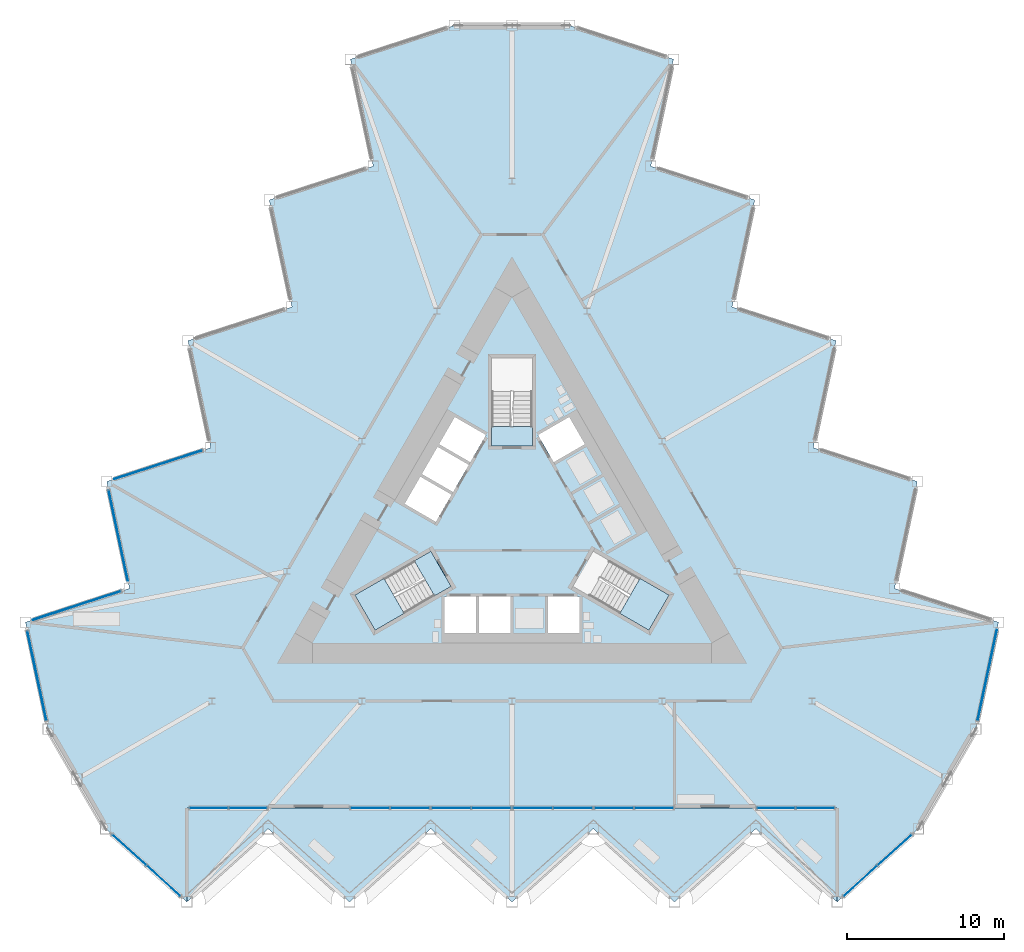
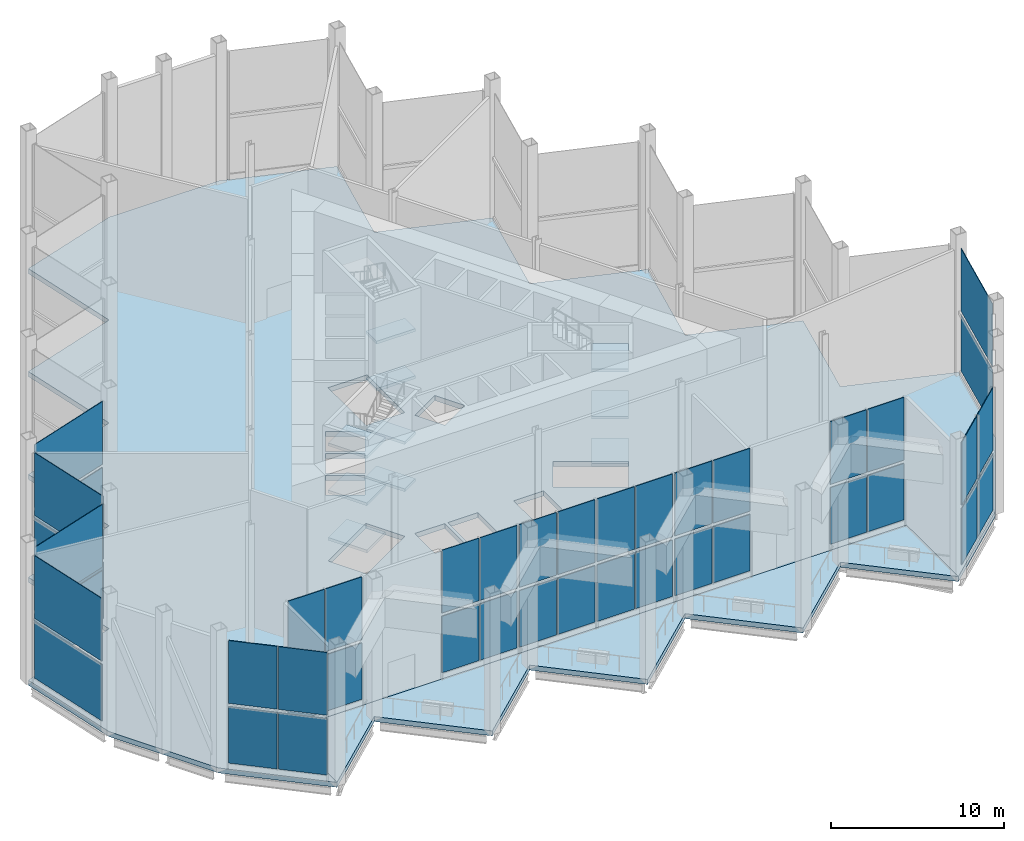
# One storey, part 7 of 17: 42 plates, 12 slabs, 13 elements without a shape of their own.
"""IFC4 building model written with IfcOpenShell, lengths in metres."""

from ifc_helpers import new_model, si_unit, direction, frame, origin, origin_2d, place, context, subcontext, project, spatial, polyline, rectangle, outline, extrude, material, layer, layer_set, type_object, element, aggregate, save


model = new_model("IFC4")

# Units and contexts
model_context = context("Model", 3, precision=1e-05, world=origin(), true_north=direction((0.0, 1.0)))
body_context = subcontext(model_context, "Body", "Model", "MODEL_VIEW")
ifc_project = project(units=[si_unit("LENGTHUNIT", "METRE"), si_unit("AREAUNIT", "SQUARE_METRE"), si_unit("VOLUMEUNIT", "CUBIC_METRE"), si_unit("PLANEANGLEUNIT", "RADIAN"), si_unit("MASSUNIT", "GRAM", prefix="KILO")], contexts=[model_context])

# Site, building, storey
site_placement = place(None, origin())
site = spatial("IfcSite", under=ifc_project, at=site_placement, CompositionType="ELEMENT")
building_placement = place(site_placement, origin())
building = spatial("IfcBuilding", under=site, at=building_placement, Name="Cormorant Prow Tower", CompositionType="ELEMENT")
storey_placement = place(building_placement, frame((0.0, 0.0, 277.800048828125)))
storey = spatial("IfcBuildingStorey", under=building, at=storey_placement, Name="L63", CompositionType="ELEMENT", Elevation=277.800048828125)

# Slab
ifc_material_1 = material(Name="Concrete C40/50", Category="concrete")
ifc_layer_1 = layer(ifc_material_1, 0.35009765625)
ifc_layer_set_1 = layer_set([ifc_layer_1], Name="Concrete C40/50")
slab_type_1 = type_object("IfcSlabType", Name="Post-tensioned flat slab 350", PredefinedType="FLOOR", material=ifc_layer_set_1)
slab_1_placement = place(storey_placement, frame((0.0, 0.0, -0.35009765625)))
element("IfcSlab", 1, at=slab_1_placement, inside=storey, type_object=slab_type_1, Name="Floor slab L63", PredefinedType="FLOOR", context=body_context, shape_type="SweptSolid", body=[
    extrude(outline(polyline([(-8.858642578125, 23.087158203125), (-15.49853515625, 20.9296875), (-14.046875, 14.100830078125), (-20.686767578125, 11.943359375), (-19.235107421875, 5.114501953125), (-25.875, 2.957275390625), (-24.42333984375, -3.871826171875), (-31.063232421875, -6.029052734375), (-29.611572265625, -12.858154296875), (-27.7763671875, -16.03662109375), (-25.941162109375, -19.21533203125), (-20.7529296875, -23.886962890625), (-20.7529296875, -17.886962890625), (20.7529296875, -17.886962890625), (20.7529296875, -23.886962890625), (25.941162109375, -19.21533203125), (27.7763671875, -16.03662109375), (29.611572265625, -12.858154296875), (31.063232421875, -6.029052734375), (24.42333984375, -3.871826171875), (25.875, 2.957275390625), (19.235107421875, 5.114501953125), (20.686767578125, 11.943359375), (14.046875, 14.100830078125), (15.49853515625, 20.9296875), (8.858642578125, 23.087158203125), (10.310302734375, 29.916015625), (3.67041015625, 32.073486328125), (0.0, 32.073486328125), (-3.67041015625, 32.073486328125), (-10.310302734375, 29.916015625), (-8.858642578125, 23.087158203125)]), holes=[polyline([(-4.300048828125, -4.39990234375), (-2.300048828125, -4.39990234375), (-2.300048828125, -6.699951171875), (-4.300048828125, -6.699951171875), (-4.300048828125, -4.39990234375)]), polyline([(-0.10009765625, -4.39990234375), (-0.10009765625, -6.699951171875), (-2.10009765625, -6.699951171875), (-2.10009765625, -4.39990234375), (-0.10009765625, -4.39990234375)]), polyline([(4.300048828125, -6.699951171875), (2.300048828125, -6.699951171875), (2.300048828125, -4.39990234375), (4.300048828125, -4.39990234375), (4.300048828125, -6.699951171875)]), polyline([(4.65234375, 5.341796875), (2.660400390625, 4.19189453125), (1.660400390625, 5.923828125), (3.65234375, 7.073974609375), (4.65234375, 5.341796875)]), polyline([(-1.660400390625, 5.923828125), (-2.660400390625, 4.19189453125), (-4.65234375, 5.341796875), (-3.65234375, 7.073974609375), (-1.660400390625, 5.923828125)]), polyline([(-3.760498046875, 2.28662109375), (-5.75244140625, 3.4365234375), (-4.75244140625, 5.168701171875), (-2.760498046875, 4.018798828125), (-3.760498046875, 2.28662109375)]), polyline([(-6.852294921875, 1.53125), (-5.852294921875, 3.263427734375), (-3.860595703125, 2.11328125), (-4.860595703125, 0.38134765625), (-6.852294921875, 1.53125)]), polyline([(-4.947509765625, -4.3505859375), (-8.738037109375, -6.5390625), (-10.031982421875, -4.2978515625), (-6.241455078125, -2.109375), (-4.947509765625, -4.3505859375)]), polyline([(10.031982421875, -4.2978515625), (8.738037109375, -6.5390625), (4.947509765625, -4.3505859375), (6.241455078125, -2.109375), (10.031982421875, -4.2978515625)]), polyline([(1.2939453125, 10.8369140625), (1.2939453125, 6.459716796875), (-1.2939453125, 6.459716796875), (-1.2939453125, 10.8369140625), (1.2939453125, 10.8369140625)])]), origin(), (0.0, 0.0, 1.0), 0.35009765625),
])

# Curtain wall, plates
ifc_material_2 = material(Name="Aluminium 6063-T6", Category="aluminium")
ifc_layer_2 = layer(ifc_material_2, 0.300048828125)
ifc_layer_set_2 = layer_set([ifc_layer_2], Name="Aluminium 6063-T6")
curtain_wall_type = type_object("IfcCurtainWallType", Name="Sky lobby unitised curtain wall 300", PredefinedType="NOTDEFINED", material=ifc_layer_set_2)
curtain_wall_1_placement = place(storey_placement, origin())
curtain_wall_1 = element("IfcCurtainWall", 2, at=curtain_wall_1_placement, inside=storey, type_object=curtain_wall_type, Name="Sky lobby curtain wall S00", PredefinedType="NOTDEFINED")
ifc_material_3 = material(Name="Clear glass", Category="glass")
ifc_layer_3 = layer(ifc_material_3, 0.0439453125)
ifc_layer_set_3 = layer_set([ifc_layer_3], Name="Clear glass")
plate_type = type_object("IfcPlateType", Name="Sky lobby glass panel 44", PredefinedType="CURTAIN_PANEL", material=ifc_layer_set_3)
plate_1_placement = place(storey_placement, frame((-24.443115234375, -20.564208984375, 0.449951171875), z_axis=(0.0, 0.0, 1.0), x_axis=(0.743144845331, -0.669130584309, 0.0)))
plate_1 = element("IfcPlate", 3, at=plate_1_placement, type_object=plate_type, Name="Sky lobby glass panel S00", PredefinedType="CURTAIN_PANEL", context=body_context, shape_type="SweptSolid", body=[
    extrude(rectangle(XDim=2.86962890625, YDim=0.0439453125, at=origin_2d()), origin(), (0.0, 0.0, 1.0), 3.98046875),
])
plate_2_placement = place(storey_placement, frame((-22.2509765625, -22.5380859375, 0.449951171875), z_axis=(0.0, 0.0, 1.0), x_axis=(0.743144845331, -0.669130584309, 0.0)))
plate_2 = element("IfcPlate", 4, at=plate_2_placement, type_object=plate_type, Name="Sky lobby glass panel S00", PredefinedType="CURTAIN_PANEL", context=body_context, shape_type="SweptSolid", body=[
    extrude(rectangle(XDim=2.86962890625, YDim=0.0439453125, at=origin_2d()), origin(), (0.0, 0.0, 1.0), 3.98046875),
])
plate_3_placement = place(storey_placement, frame((-24.443115234375, -20.564208984375, 4.67041015625), z_axis=(0.0, 0.0, 1.0), x_axis=(0.743144845331, -0.669130584309, 0.0)))
plate_3 = element("IfcPlate", 5, at=plate_3_placement, type_object=plate_type, Name="Sky lobby glass panel S00", PredefinedType="CURTAIN_PANEL", context=body_context, shape_type="SweptSolid", body=[
    extrude(rectangle(XDim=2.86962890625, YDim=0.0439453125, at=origin_2d()), origin(), (0.0, 0.0, 1.0), 4.430419921875),
])
plate_4_placement = place(storey_placement, frame((-22.2509765625, -22.5380859375, 4.67041015625), z_axis=(0.0, 0.0, 1.0), x_axis=(0.743144845331, -0.669130584309, 0.0)))
plate_4 = element("IfcPlate", 6, at=plate_4_placement, type_object=plate_type, Name="Sky lobby glass panel S00", PredefinedType="CURTAIN_PANEL", context=body_context, shape_type="SweptSolid", body=[
    extrude(rectangle(XDim=2.86962890625, YDim=0.0439453125, at=origin_2d()), origin(), (0.0, 0.0, 1.0), 4.430419921875),
])
aggregate(curtain_wall_1, [plate_1, plate_2, plate_3, plate_4])

curtain_wall_2_placement = place(storey_placement, origin())
curtain_wall_2 = element("IfcCurtainWall", 7, at=curtain_wall_2_placement, inside=storey, type_object=curtain_wall_type, Name="Sky lobby curtain wall S09", PredefinedType="NOTDEFINED")
plate_5_placement = place(storey_placement, frame((22.2509765625, -22.5380859375, 0.449951171875), z_axis=(0.0, 0.0, 1.0), x_axis=(0.743144845331, 0.669130584309, 0.0)))
plate_5 = element("IfcPlate", 8, at=plate_5_placement, type_object=plate_type, Name="Sky lobby glass panel S09", PredefinedType="CURTAIN_PANEL", context=body_context, shape_type="SweptSolid", body=[
    extrude(rectangle(XDim=2.86962890625, YDim=0.0439453125, at=origin_2d()), origin(), (0.0, 0.0, 1.0), 3.98046875),
])
plate_6_placement = place(storey_placement, frame((24.443115234375, -20.564208984375, 0.449951171875), z_axis=(0.0, 0.0, 1.0), x_axis=(0.743144845331, 0.669130584309, 0.0)))
plate_6 = element("IfcPlate", 9, at=plate_6_placement, type_object=plate_type, Name="Sky lobby glass panel S09", PredefinedType="CURTAIN_PANEL", context=body_context, shape_type="SweptSolid", body=[
    extrude(rectangle(XDim=2.86962890625, YDim=0.0439453125, at=origin_2d()), origin(), (0.0, 0.0, 1.0), 3.98046875),
])
plate_7_placement = place(storey_placement, frame((22.2509765625, -22.5380859375, 4.67041015625), z_axis=(0.0, 0.0, 1.0), x_axis=(0.743144845331, 0.669130584309, 0.0)))
plate_7 = element("IfcPlate", 10, at=plate_7_placement, type_object=plate_type, Name="Sky lobby glass panel S09", PredefinedType="CURTAIN_PANEL", context=body_context, shape_type="SweptSolid", body=[
    extrude(rectangle(XDim=2.86962890625, YDim=0.0439453125, at=origin_2d()), origin(), (0.0, 0.0, 1.0), 4.430419921875),
])
plate_8_placement = place(storey_placement, frame((24.443115234375, -20.564208984375, 4.67041015625), z_axis=(0.0, 0.0, 1.0), x_axis=(0.743144845331, 0.669130584309, 0.0)))
plate_8 = element("IfcPlate", 11, at=plate_8_placement, type_object=plate_type, Name="Sky lobby glass panel S09", PredefinedType="CURTAIN_PANEL", context=body_context, shape_type="SweptSolid", body=[
    extrude(rectangle(XDim=2.86962890625, YDim=0.0439453125, at=origin_2d()), origin(), (0.0, 0.0, 1.0), 4.430419921875),
])
aggregate(curtain_wall_2, [plate_5, plate_6, plate_7, plate_8])

curtain_wall_3_placement = place(storey_placement, origin())
curtain_wall_3 = element("IfcCurtainWall", 12, at=curtain_wall_3_placement, inside=storey, type_object=curtain_wall_type, Name="Sky lobby curtain wall ENE00-ENE09", PredefinedType="NOTDEFINED")
plate_9_placement = place(storey_placement, frame((30.345703125, -9.404541015625, 0.449951171875), z_axis=(0.0, 0.0, 1.0), x_axis=(0.207911671407, 0.97814760486, 0.0)))
plate_9 = element("IfcPlate", 13, at=plate_9_placement, type_object=plate_type, Name="Sky lobby glass panel ENE00-ENE09", PredefinedType="CURTAIN_PANEL", context=body_context, shape_type="SweptSolid", body=[
    extrude(rectangle(XDim=5.8994140625, YDim=0.0439453125, at=origin_2d()), origin(), (0.0, 0.0, 1.0), 3.98046875),
])
plate_10_placement = place(storey_placement, frame((30.345703125, -9.404541015625, 4.67041015625), z_axis=(0.0, 0.0, 1.0), x_axis=(0.207911671407, 0.97814760486, 0.0)))
plate_10 = element("IfcPlate", 14, at=plate_10_placement, type_object=plate_type, Name="Sky lobby glass panel ENE00-ENE09", PredefinedType="CURTAIN_PANEL", context=body_context, shape_type="SweptSolid", body=[
    extrude(rectangle(XDim=5.8994140625, YDim=0.0439453125, at=origin_2d()), origin(), (0.0, 0.0, 1.0), 4.430419921875),
])
aggregate(curtain_wall_3, [plate_9, plate_10])

curtain_wall_4_placement = place(storey_placement, origin())
curtain_wall_4 = element("IfcCurtainWall", 15, at=curtain_wall_4_placement, inside=storey, type_object=curtain_wall_type, Name="Sky lobby curtain wall WNW00-WNW09", PredefinedType="NOTDEFINED")
plate_11_placement = place(storey_placement, frame((-22.593017578125, 4.0234375, 0.449951171875), z_axis=(0.0, 0.0, 1.0), x_axis=(-0.951056533203, -0.309016942337, 0.0)))
plate_11 = element("IfcPlate", 16, at=plate_11_placement, type_object=plate_type, Name="Sky lobby glass panel WNW00-WNW09", PredefinedType="CURTAIN_PANEL", context=body_context, shape_type="SweptSolid", body=[
    extrude(rectangle(XDim=5.8994140625, YDim=0.0439453125, at=origin_2d()), origin(), (0.0, 0.0, 1.0), 3.98046875),
])
plate_12_placement = place(storey_placement, frame((-22.593017578125, 4.0234375, 4.67041015625), z_axis=(0.0, 0.0, 1.0), x_axis=(-0.951056533203, -0.309016942337, 0.0)))
plate_12 = element("IfcPlate", 17, at=plate_12_placement, type_object=plate_type, Name="Sky lobby glass panel WNW00-WNW09", PredefinedType="CURTAIN_PANEL", context=body_context, shape_type="SweptSolid", body=[
    extrude(rectangle(XDim=5.8994140625, YDim=0.0439453125, at=origin_2d()), origin(), (0.0, 0.0, 1.0), 4.430419921875),
])
plate_13_placement = place(storey_placement, frame((-25.140869140625, -0.496337890625, 0.449951171875), z_axis=(0.0, 0.0, 1.0), x_axis=(0.207911642282, -0.97814761105, 0.0)))
plate_13 = element("IfcPlate", 18, at=plate_13_placement, type_object=plate_type, Name="Sky lobby glass panel WNW00-WNW09", PredefinedType="CURTAIN_PANEL", context=body_context, shape_type="SweptSolid", body=[
    extrude(rectangle(XDim=5.8994140625, YDim=0.0439453125, at=origin_2d()), origin(), (0.0, 0.0, 1.0), 3.98046875),
])
plate_14_placement = place(storey_placement, frame((-25.140869140625, -0.496337890625, 4.67041015625), z_axis=(0.0, 0.0, 1.0), x_axis=(0.207911642282, -0.97814761105, 0.0)))
plate_14 = element("IfcPlate", 19, at=plate_14_placement, type_object=plate_type, Name="Sky lobby glass panel WNW00-WNW09", PredefinedType="CURTAIN_PANEL", context=body_context, shape_type="SweptSolid", body=[
    extrude(rectangle(XDim=5.8994140625, YDim=0.0439453125, at=origin_2d()), origin(), (0.0, 0.0, 1.0), 4.430419921875),
])
plate_15_placement = place(storey_placement, frame((-27.78125, -4.962890625, 0.449951171875), z_axis=(0.0, 0.0, 1.0), x_axis=(-0.951056519526, -0.309016984432, 0.0)))
plate_15 = element("IfcPlate", 20, at=plate_15_placement, type_object=plate_type, Name="Sky lobby glass panel WNW00-WNW09", PredefinedType="CURTAIN_PANEL", context=body_context, shape_type="SweptSolid", body=[
    extrude(rectangle(XDim=5.8994140625, YDim=0.0439453125, at=origin_2d()), origin(), (0.0, 0.0, 1.0), 3.98046875),
])
plate_16_placement = place(storey_placement, frame((-27.78125, -4.962890625, 4.67041015625), z_axis=(0.0, 0.0, 1.0), x_axis=(-0.951056519526, -0.309016984432, 0.0)))
plate_16 = element("IfcPlate", 21, at=plate_16_placement, type_object=plate_type, Name="Sky lobby glass panel WNW00-WNW09", PredefinedType="CURTAIN_PANEL", context=body_context, shape_type="SweptSolid", body=[
    extrude(rectangle(XDim=5.8994140625, YDim=0.0439453125, at=origin_2d()), origin(), (0.0, 0.0, 1.0), 4.430419921875),
])
plate_17_placement = place(storey_placement, frame((-30.33740234375, -9.443603515625, 0.449951171875), z_axis=(0.0, 0.0, 1.0), x_axis=(0.207911671407, -0.97814760486, 0.0)))
plate_17 = element("IfcPlate", 22, at=plate_17_placement, type_object=plate_type, Name="Sky lobby glass panel WNW00-WNW09", PredefinedType="CURTAIN_PANEL", context=body_context, shape_type="SweptSolid", body=[
    extrude(rectangle(XDim=5.819580078125, YDim=0.0439453125, at=origin_2d()), origin(), (0.0, 0.0, 1.0), 3.98046875),
])
plate_18_placement = place(storey_placement, frame((-30.33740234375, -9.443603515625, 4.67041015625), z_axis=(0.0, 0.0, 1.0), x_axis=(0.207911671407, -0.97814760486, 0.0)))
plate_18 = element("IfcPlate", 23, at=plate_18_placement, type_object=plate_type, Name="Sky lobby glass panel WNW00-WNW09", PredefinedType="CURTAIN_PANEL", context=body_context, shape_type="SweptSolid", body=[
    extrude(rectangle(XDim=5.819580078125, YDim=0.0439453125, at=origin_2d()), origin(), (0.0, 0.0, 1.0), 4.430419921875),
])
aggregate(curtain_wall_4, [plate_11, plate_12, plate_13, plate_14, plate_15, plate_16, plate_17, plate_18])

curtain_wall_5_placement = place(storey_placement, origin())
curtain_wall_5 = element("IfcCurtainWall", 24, at=curtain_wall_5_placement, inside=storey, type_object=curtain_wall_type, Name="Sky lobby curtain wall loggia S01", PredefinedType="NOTDEFINED")
plate_19_placement = place(storey_placement, frame((-19.353515625, -17.886962890625, 0.449951171875), z_axis=(0.0, 0.0, 1.0), x_axis=(1.0, 0.0, 0.0)))
plate_19 = element("IfcPlate", 25, at=plate_19_placement, type_object=plate_type, Name="Sky lobby glass panel loggia S01", PredefinedType="CURTAIN_PANEL", context=body_context, shape_type="SweptSolid", body=[
    extrude(rectangle(XDim=2.419189453125, YDim=0.0439453125, at=origin_2d()), origin(), (0.0, 0.0, 1.0), 3.98046875),
])
plate_20_placement = place(storey_placement, frame((-16.854248046875, -17.886962890625, 0.449951171875), z_axis=(0.0, 0.0, 1.0), x_axis=(1.0, 0.0, 0.0)))
plate_20 = element("IfcPlate", 26, at=plate_20_placement, type_object=plate_type, Name="Sky lobby glass panel loggia S01", PredefinedType="CURTAIN_PANEL", context=body_context, shape_type="SweptSolid", body=[
    extrude(rectangle(XDim=2.419189453125, YDim=0.0439453125, at=origin_2d()), origin(), (0.0, 0.0, 1.0), 3.98046875),
])
plate_21_placement = place(storey_placement, frame((-19.353515625, -17.886962890625, 4.67041015625), z_axis=(0.0, 0.0, 1.0), x_axis=(1.0, 0.0, 0.0)))
plate_21 = element("IfcPlate", 27, at=plate_21_placement, type_object=plate_type, Name="Sky lobby glass panel loggia S01", PredefinedType="CURTAIN_PANEL", context=body_context, shape_type="SweptSolid", body=[
    extrude(rectangle(XDim=2.419189453125, YDim=0.0439453125, at=origin_2d()), origin(), (0.0, 0.0, 1.0), 4.430419921875),
])
plate_22_placement = place(storey_placement, frame((-16.854248046875, -17.886962890625, 4.67041015625), z_axis=(0.0, 0.0, 1.0), x_axis=(1.0, 0.0, 0.0)))
plate_22 = element("IfcPlate", 28, at=plate_22_placement, type_object=plate_type, Name="Sky lobby glass panel loggia S01", PredefinedType="CURTAIN_PANEL", context=body_context, shape_type="SweptSolid", body=[
    extrude(rectangle(XDim=2.419189453125, YDim=0.0439453125, at=origin_2d()), origin(), (0.0, 0.0, 1.0), 4.430419921875),
])
aggregate(curtain_wall_5, [plate_19, plate_20, plate_21, plate_22])

curtain_wall_6_placement = place(storey_placement, origin())
curtain_wall_6 = element("IfcCurtainWall", 29, at=curtain_wall_6_placement, inside=storey, type_object=curtain_wall_type, Name="Sky lobby curtain wall loggia S03", PredefinedType="NOTDEFINED")
plate_23_placement = place(storey_placement, frame((-9.059326171875, -17.886962890625, 0.449951171875), z_axis=(0.0, 0.0, 1.0), x_axis=(1.0, 0.0, 0.0)))
plate_23 = element("IfcPlate", 30, at=plate_23_placement, type_object=plate_type, Name="Sky lobby glass panel loggia S03", PredefinedType="CURTAIN_PANEL", context=body_context, shape_type="SweptSolid", body=[
    extrude(rectangle(XDim=2.47412109375, YDim=0.0439453125, at=origin_2d()), origin(), (0.0, 0.0, 1.0), 3.98046875),
])
plate_24_placement = place(storey_placement, frame((-6.50537109375, -17.886962890625, 0.449951171875), z_axis=(0.0, 0.0, 1.0), x_axis=(1.0, 0.0, 0.0)))
plate_24 = element("IfcPlate", 31, at=plate_24_placement, type_object=plate_type, Name="Sky lobby glass panel loggia S03", PredefinedType="CURTAIN_PANEL", context=body_context, shape_type="SweptSolid", body=[
    extrude(rectangle(XDim=2.47412109375, YDim=0.0439453125, at=origin_2d()), origin(), (0.0, 0.0, 1.0), 3.98046875),
])
plate_25_placement = place(storey_placement, frame((-9.059326171875, -17.886962890625, 4.67041015625), z_axis=(0.0, 0.0, 1.0), x_axis=(1.0, 0.0, 0.0)))
plate_25 = element("IfcPlate", 32, at=plate_25_placement, type_object=plate_type, Name="Sky lobby glass panel loggia S03", PredefinedType="CURTAIN_PANEL", context=body_context, shape_type="SweptSolid", body=[
    extrude(rectangle(XDim=2.47412109375, YDim=0.0439453125, at=origin_2d()), origin(), (0.0, 0.0, 1.0), 4.430419921875),
])
plate_26_placement = place(storey_placement, frame((-6.50537109375, -17.886962890625, 4.67041015625), z_axis=(0.0, 0.0, 1.0), x_axis=(1.0, 0.0, 0.0)))
plate_26 = element("IfcPlate", 33, at=plate_26_placement, type_object=plate_type, Name="Sky lobby glass panel loggia S03", PredefinedType="CURTAIN_PANEL", context=body_context, shape_type="SweptSolid", body=[
    extrude(rectangle(XDim=2.47412109375, YDim=0.0439453125, at=origin_2d()), origin(), (0.0, 0.0, 1.0), 4.430419921875),
])
aggregate(curtain_wall_6, [plate_23, plate_24, plate_25, plate_26])

curtain_wall_7_placement = place(storey_placement, origin())
curtain_wall_7 = element("IfcCurtainWall", 34, at=curtain_wall_7_placement, inside=storey, type_object=curtain_wall_type, Name="Sky lobby curtain wall loggia S04", PredefinedType="NOTDEFINED")
plate_27_placement = place(storey_placement, frame((-3.87109375, -17.886962890625, 0.449951171875), z_axis=(0.0, 0.0, 1.0), x_axis=(1.0, 0.0, 0.0)))
plate_27 = element("IfcPlate", 35, at=plate_27_placement, type_object=plate_type, Name="Sky lobby glass panel loggia S04", PredefinedType="CURTAIN_PANEL", context=body_context, shape_type="SweptSolid", body=[
    extrude(rectangle(XDim=2.47412109375, YDim=0.0439453125, at=origin_2d()), origin(), (0.0, 0.0, 1.0), 3.98046875),
])
plate_28_placement = place(storey_placement, frame((-1.317138671875, -17.886962890625, 0.449951171875), z_axis=(0.0, 0.0, 1.0), x_axis=(1.0, 0.0, 0.0)))
plate_28 = element("IfcPlate", 36, at=plate_28_placement, type_object=plate_type, Name="Sky lobby glass panel loggia S04", PredefinedType="CURTAIN_PANEL", context=body_context, shape_type="SweptSolid", body=[
    extrude(rectangle(XDim=2.47412109375, YDim=0.0439453125, at=origin_2d()), origin(), (0.0, 0.0, 1.0), 3.98046875),
])
plate_29_placement = place(storey_placement, frame((-3.87109375, -17.886962890625, 4.67041015625), z_axis=(0.0, 0.0, 1.0), x_axis=(1.0, 0.0, 0.0)))
plate_29 = element("IfcPlate", 37, at=plate_29_placement, type_object=plate_type, Name="Sky lobby glass panel loggia S04", PredefinedType="CURTAIN_PANEL", context=body_context, shape_type="SweptSolid", body=[
    extrude(rectangle(XDim=2.47412109375, YDim=0.0439453125, at=origin_2d()), origin(), (0.0, 0.0, 1.0), 4.430419921875),
])
plate_30_placement = place(storey_placement, frame((-1.317138671875, -17.886962890625, 4.67041015625), z_axis=(0.0, 0.0, 1.0), x_axis=(1.0, 0.0, 0.0)))
plate_30 = element("IfcPlate", 38, at=plate_30_placement, type_object=plate_type, Name="Sky lobby glass panel loggia S04", PredefinedType="CURTAIN_PANEL", context=body_context, shape_type="SweptSolid", body=[
    extrude(rectangle(XDim=2.47412109375, YDim=0.0439453125, at=origin_2d()), origin(), (0.0, 0.0, 1.0), 4.430419921875),
])
aggregate(curtain_wall_7, [plate_27, plate_28, plate_29, plate_30])

curtain_wall_8_placement = place(storey_placement, origin())
curtain_wall_8 = element("IfcCurtainWall", 39, at=curtain_wall_8_placement, inside=storey, type_object=curtain_wall_type, Name="Sky lobby curtain wall loggia S05", PredefinedType="NOTDEFINED")
plate_31_placement = place(storey_placement, frame((1.317138671875, -17.886962890625, 0.449951171875), z_axis=(0.0, 0.0, 1.0), x_axis=(1.0, 0.0, 0.0)))
plate_31 = element("IfcPlate", 40, at=plate_31_placement, type_object=plate_type, Name="Sky lobby glass panel loggia S05", PredefinedType="CURTAIN_PANEL", context=body_context, shape_type="SweptSolid", body=[
    extrude(rectangle(XDim=2.47412109375, YDim=0.0439453125, at=origin_2d()), origin(), (0.0, 0.0, 1.0), 3.98046875),
])
plate_32_placement = place(storey_placement, frame((3.87109375, -17.886962890625, 0.449951171875), z_axis=(0.0, 0.0, 1.0), x_axis=(1.0, 0.0, 0.0)))
plate_32 = element("IfcPlate", 41, at=plate_32_placement, type_object=plate_type, Name="Sky lobby glass panel loggia S05", PredefinedType="CURTAIN_PANEL", context=body_context, shape_type="SweptSolid", body=[
    extrude(rectangle(XDim=2.47412109375, YDim=0.0439453125, at=origin_2d()), origin(), (0.0, 0.0, 1.0), 3.98046875),
])
plate_33_placement = place(storey_placement, frame((1.317138671875, -17.886962890625, 4.67041015625), z_axis=(0.0, 0.0, 1.0), x_axis=(1.0, 0.0, 0.0)))
plate_33 = element("IfcPlate", 42, at=plate_33_placement, type_object=plate_type, Name="Sky lobby glass panel loggia S05", PredefinedType="CURTAIN_PANEL", context=body_context, shape_type="SweptSolid", body=[
    extrude(rectangle(XDim=2.47412109375, YDim=0.0439453125, at=origin_2d()), origin(), (0.0, 0.0, 1.0), 4.430419921875),
])
plate_34_placement = place(storey_placement, frame((3.87109375, -17.886962890625, 4.67041015625), z_axis=(0.0, 0.0, 1.0), x_axis=(1.0, 0.0, 0.0)))
plate_34 = element("IfcPlate", 43, at=plate_34_placement, type_object=plate_type, Name="Sky lobby glass panel loggia S05", PredefinedType="CURTAIN_PANEL", context=body_context, shape_type="SweptSolid", body=[
    extrude(rectangle(XDim=2.47412109375, YDim=0.0439453125, at=origin_2d()), origin(), (0.0, 0.0, 1.0), 4.430419921875),
])
aggregate(curtain_wall_8, [plate_31, plate_32, plate_33, plate_34])

curtain_wall_9_placement = place(storey_placement, origin())
curtain_wall_9 = element("IfcCurtainWall", 44, at=curtain_wall_9_placement, inside=storey, type_object=curtain_wall_type, Name="Sky lobby curtain wall loggia S06", PredefinedType="NOTDEFINED")
plate_35_placement = place(storey_placement, frame((6.50537109375, -17.886962890625, 0.449951171875), z_axis=(0.0, 0.0, 1.0), x_axis=(1.0, 0.0, 0.0)))
plate_35 = element("IfcPlate", 45, at=plate_35_placement, type_object=plate_type, Name="Sky lobby glass panel loggia S06", PredefinedType="CURTAIN_PANEL", context=body_context, shape_type="SweptSolid", body=[
    extrude(rectangle(XDim=2.47412109375, YDim=0.0439453125, at=origin_2d()), origin(), (0.0, 0.0, 1.0), 3.98046875),
])
plate_36_placement = place(storey_placement, frame((9.059326171875, -17.886962890625, 0.449951171875), z_axis=(0.0, 0.0, 1.0), x_axis=(1.0, 0.0, 0.0)))
plate_36 = element("IfcPlate", 46, at=plate_36_placement, type_object=plate_type, Name="Sky lobby glass panel loggia S06", PredefinedType="CURTAIN_PANEL", context=body_context, shape_type="SweptSolid", body=[
    extrude(rectangle(XDim=2.47412109375, YDim=0.0439453125, at=origin_2d()), origin(), (0.0, 0.0, 1.0), 3.98046875),
])
plate_37_placement = place(storey_placement, frame((6.50537109375, -17.886962890625, 4.67041015625), z_axis=(0.0, 0.0, 1.0), x_axis=(1.0, 0.0, 0.0)))
plate_37 = element("IfcPlate", 47, at=plate_37_placement, type_object=plate_type, Name="Sky lobby glass panel loggia S06", PredefinedType="CURTAIN_PANEL", context=body_context, shape_type="SweptSolid", body=[
    extrude(rectangle(XDim=2.47412109375, YDim=0.0439453125, at=origin_2d()), origin(), (0.0, 0.0, 1.0), 4.430419921875),
])
plate_38_placement = place(storey_placement, frame((9.059326171875, -17.886962890625, 4.67041015625), z_axis=(0.0, 0.0, 1.0), x_axis=(1.0, 0.0, 0.0)))
plate_38 = element("IfcPlate", 48, at=plate_38_placement, type_object=plate_type, Name="Sky lobby glass panel loggia S06", PredefinedType="CURTAIN_PANEL", context=body_context, shape_type="SweptSolid", body=[
    extrude(rectangle(XDim=2.47412109375, YDim=0.0439453125, at=origin_2d()), origin(), (0.0, 0.0, 1.0), 4.430419921875),
])
aggregate(curtain_wall_9, [plate_35, plate_36, plate_37, plate_38])

curtain_wall_10_placement = place(storey_placement, origin())
curtain_wall_10 = element("IfcCurtainWall", 49, at=curtain_wall_10_placement, inside=storey, type_object=curtain_wall_type, Name="Sky lobby curtain wall loggia S08", PredefinedType="NOTDEFINED")
plate_39_placement = place(storey_placement, frame((16.854248046875, -17.886962890625, 0.449951171875), z_axis=(0.0, 0.0, 1.0), x_axis=(1.0, 0.0, 0.0)))
plate_39 = element("IfcPlate", 50, at=plate_39_placement, type_object=plate_type, Name="Sky lobby glass panel loggia S08", PredefinedType="CURTAIN_PANEL", context=body_context, shape_type="SweptSolid", body=[
    extrude(rectangle(XDim=2.419189453125, YDim=0.0439453125, at=origin_2d()), origin(), (0.0, 0.0, 1.0), 3.98046875),
])
plate_40_placement = place(storey_placement, frame((19.353515625, -17.886962890625, 0.449951171875), z_axis=(0.0, 0.0, 1.0), x_axis=(1.0, 0.0, 0.0)))
plate_40 = element("IfcPlate", 51, at=plate_40_placement, type_object=plate_type, Name="Sky lobby glass panel loggia S08", PredefinedType="CURTAIN_PANEL", context=body_context, shape_type="SweptSolid", body=[
    extrude(rectangle(XDim=2.419189453125, YDim=0.0439453125, at=origin_2d()), origin(), (0.0, 0.0, 1.0), 3.98046875),
])
plate_41_placement = place(storey_placement, frame((16.854248046875, -17.886962890625, 4.67041015625), z_axis=(0.0, 0.0, 1.0), x_axis=(1.0, 0.0, 0.0)))
plate_41 = element("IfcPlate", 52, at=plate_41_placement, type_object=plate_type, Name="Sky lobby glass panel loggia S08", PredefinedType="CURTAIN_PANEL", context=body_context, shape_type="SweptSolid", body=[
    extrude(rectangle(XDim=2.419189453125, YDim=0.0439453125, at=origin_2d()), origin(), (0.0, 0.0, 1.0), 4.430419921875),
])
plate_42_placement = place(storey_placement, frame((19.353515625, -17.886962890625, 4.67041015625), z_axis=(0.0, 0.0, 1.0), x_axis=(1.0, 0.0, 0.0)))
plate_42 = element("IfcPlate", 53, at=plate_42_placement, type_object=plate_type, Name="Sky lobby glass panel loggia S08", PredefinedType="CURTAIN_PANEL", context=body_context, shape_type="SweptSolid", body=[
    extrude(rectangle(XDim=2.419189453125, YDim=0.0439453125, at=origin_2d()), origin(), (0.0, 0.0, 1.0), 4.430419921875),
])
aggregate(curtain_wall_10, [plate_39, plate_40, plate_41, plate_42])

# Stair, slabs
ifc_material_4 = material(Name="Exit stair 54 risers")
stair_type = type_object("IfcStairType", Name="Exit stair 54 risers", PredefinedType="HALF_TURN_STAIR", material=ifc_material_4)
stair_1_placement = place(storey_placement, origin())
stair_1 = element("IfcStair", 54, at=stair_1_placement, inside=storey, type_object=stair_type, Name="L63 Exit stair ST1", PredefinedType="HALF_TURN_STAIR")
ifc_material_5 = material(Name="Concrete 5000 psi", Category="concrete")
ifc_layer_4 = layer(ifc_material_5, 0.199951171875)
ifc_layer_set_4 = layer_set([ifc_layer_4], Name="Concrete 5000 psi")
slab_type_2 = type_object("IfcSlabType", Name="Stair landing 200", PredefinedType="LANDING", material=ifc_layer_set_4)
slab_2_placement = place(storey_placement, frame((0.0, 0.0, 1.466552734375)))
slab_2 = element("IfcSlab", 55, at=slab_2_placement, type_object=slab_type_2, Name="ST1 landing 1", PredefinedType="LANDING", context=body_context, shape_type="SweptSolid", body=[
    extrude(outline(polyline([(-8.17431640625, -3.225341796875), (-10.031982421875, -4.2978515625), (-8.738037109375, -6.5390625), (-6.88037109375, -5.466552734375), (-8.17431640625, -3.225341796875)])), origin(), (0.0, 0.0, 1.0), 0.199951171875),
])
slab_3_placement = place(storey_placement, frame((0.0, 0.0, 3.13330078125)))
slab_3 = element("IfcSlab", 56, at=slab_3_placement, type_object=slab_type_2, Name="ST1 landing 2", PredefinedType="LANDING", context=body_context, shape_type="SweptSolid", body=[
    extrude(outline(polyline([(-5.18212890625, -1.497802734375), (-6.241455078125, -2.109375), (-4.947265625, -4.3505859375), (-3.88818359375, -3.739013671875), (-5.18212890625, -1.497802734375)])), origin(), (0.0, 0.0, 1.0), 0.199951171875),
])
slab_4_placement = place(storey_placement, frame((0.0, 0.0, 4.800048828125)))
slab_4 = element("IfcSlab", 57, at=slab_4_placement, type_object=slab_type_2, Name="ST1 landing 3", PredefinedType="LANDING", context=body_context, shape_type="SweptSolid", body=[
    extrude(outline(polyline([(-8.17431640625, -3.225341796875), (-10.031982421875, -4.2978515625), (-8.738037109375, -6.5390625), (-6.88037109375, -5.466552734375), (-8.17431640625, -3.225341796875)])), origin(), (0.0, 0.0, 1.0), 0.199951171875),
])
slab_5_placement = place(storey_placement, frame((0.0, 0.0, 6.466552734375)))
slab_5 = element("IfcSlab", 58, at=slab_5_placement, type_object=slab_type_2, Name="ST1 landing 4", PredefinedType="LANDING", context=body_context, shape_type="SweptSolid", body=[
    extrude(outline(polyline([(-5.18212890625, -1.497802734375), (-6.241455078125, -2.109375), (-4.947265625, -4.3505859375), (-3.88818359375, -3.739013671875), (-5.18212890625, -1.497802734375)])), origin(), (0.0, 0.0, 1.0), 0.199951171875),
])
slab_6_placement = place(storey_placement, frame((0.0, 0.0, 8.13330078125)))
slab_6 = element("IfcSlab", 59, at=slab_6_placement, type_object=slab_type_2, Name="ST1 landing 5", PredefinedType="LANDING", context=body_context, shape_type="SweptSolid", body=[
    extrude(outline(polyline([(-8.17431640625, -3.225341796875), (-10.031982421875, -4.2978515625), (-8.738037109375, -6.5390625), (-6.88037109375, -5.466552734375), (-8.17431640625, -3.225341796875)])), origin(), (0.0, 0.0, 1.0), 0.199951171875),
])
aggregate(stair_1, [slab_2, slab_3, slab_4, slab_5, slab_6])

stair_2_placement = place(storey_placement, origin())
stair_2 = element("IfcStair", 60, at=stair_2_placement, inside=storey, type_object=stair_type, Name="L63 Exit stair ST2", PredefinedType="HALF_TURN_STAIR")
slab_7_placement = place(storey_placement, frame((0.0, 0.0, 1.466552734375)))
slab_7 = element("IfcSlab", 61, at=slab_7_placement, type_object=slab_type_2, Name="ST2 landing 1", PredefinedType="LANDING", context=body_context, shape_type="SweptSolid", body=[
    extrude(outline(polyline([(6.88037109375, -5.466552734375), (8.738037109375, -6.5390625), (10.031982421875, -4.2978515625), (8.17431640625, -3.225341796875), (6.88037109375, -5.466552734375)])), origin(), (0.0, 0.0, 1.0), 0.199951171875),
])
slab_8_placement = place(storey_placement, frame((0.0, 0.0, 4.800048828125)))
slab_8 = element("IfcSlab", 62, at=slab_8_placement, type_object=slab_type_2, Name="ST2 landing 3", PredefinedType="LANDING", context=body_context, shape_type="SweptSolid", body=[
    extrude(outline(polyline([(6.88037109375, -5.466552734375), (8.738037109375, -6.5390625), (10.031982421875, -4.2978515625), (8.17431640625, -3.225341796875), (6.88037109375, -5.466552734375)])), origin(), (0.0, 0.0, 1.0), 0.199951171875),
])
slab_9_placement = place(storey_placement, frame((0.0, 0.0, 8.13330078125)))
slab_9 = element("IfcSlab", 63, at=slab_9_placement, type_object=slab_type_2, Name="ST2 landing 5", PredefinedType="LANDING", context=body_context, shape_type="SweptSolid", body=[
    extrude(outline(polyline([(6.88037109375, -5.466552734375), (8.738037109375, -6.5390625), (10.031982421875, -4.2978515625), (8.17431640625, -3.225341796875), (6.88037109375, -5.466552734375)])), origin(), (0.0, 0.0, 1.0), 0.199951171875),
])
aggregate(stair_2, [slab_7, slab_8, slab_9])

stair_3_placement = place(storey_placement, origin())
stair_3 = element("IfcStair", 64, at=stair_3_placement, inside=storey, type_object=stair_type, Name="L63 Exit stair ST3", PredefinedType="HALF_TURN_STAIR")
slab_10_placement = place(storey_placement, frame((0.0, 0.0, 3.13330078125)))
slab_10 = element("IfcSlab", 65, at=slab_10_placement, type_object=slab_type_2, Name="ST3 landing 2", PredefinedType="LANDING", context=body_context, shape_type="SweptSolid", body=[
    extrude(outline(polyline([(1.2939453125, 5.23681640625), (1.2939453125, 6.459716796875), (-1.2939453125, 6.459716796875), (-1.2939453125, 5.23681640625), (1.2939453125, 5.23681640625)])), origin(), (0.0, 0.0, 1.0), 0.199951171875),
])
slab_11_placement = place(storey_placement, frame((0.0, 0.0, 6.466552734375)))
slab_11 = element("IfcSlab", 66, at=slab_11_placement, type_object=slab_type_2, Name="ST3 landing 4", PredefinedType="LANDING", context=body_context, shape_type="SweptSolid", body=[
    extrude(outline(polyline([(1.2939453125, 5.23681640625), (1.2939453125, 6.459716796875), (-1.2939453125, 6.459716796875), (-1.2939453125, 5.23681640625), (1.2939453125, 5.23681640625)])), origin(), (0.0, 0.0, 1.0), 0.199951171875),
])
aggregate(stair_3, [slab_10, slab_11])

# Slab
ifc_material_6 = material(Name="Concrete C40/50", Category="concrete")
ifc_layer_5 = layer(ifc_material_6, 0.35009765625)
ifc_layer_set_5 = layer_set([ifc_layer_5], Name="Concrete C40/50")
slab_type_3 = type_object("IfcSlabType", Name="Terrace slab 350", PredefinedType="FLOOR", material=ifc_layer_set_5)
slab_12_placement = place(storey_placement, frame((0.0, 0.0, -0.35009765625)))
element("IfcSlab", 67, at=slab_12_placement, inside=storey, type_object=slab_type_3, Name="Loggia terrace slab L63", PredefinedType="FLOOR", context=body_context, shape_type="SweptSolid", body=[
    extrude(outline(polyline([(-20.7529296875, -23.886962890625), (-15.564697265625, -19.21533203125), (-10.37646484375, -23.886962890625), (-5.188232421875, -19.21533203125), (0.0, -23.886962890625), (5.188232421875, -19.21533203125), (10.37646484375, -23.886962890625), (15.564697265625, -19.21533203125), (20.7529296875, -23.886962890625), (20.7529296875, -17.886962890625), (-20.7529296875, -17.886962890625), (-20.7529296875, -23.886962890625)])), origin(), (0.0, 0.0, 1.0), 0.35009765625),
])

save(model, "model.ifc")
